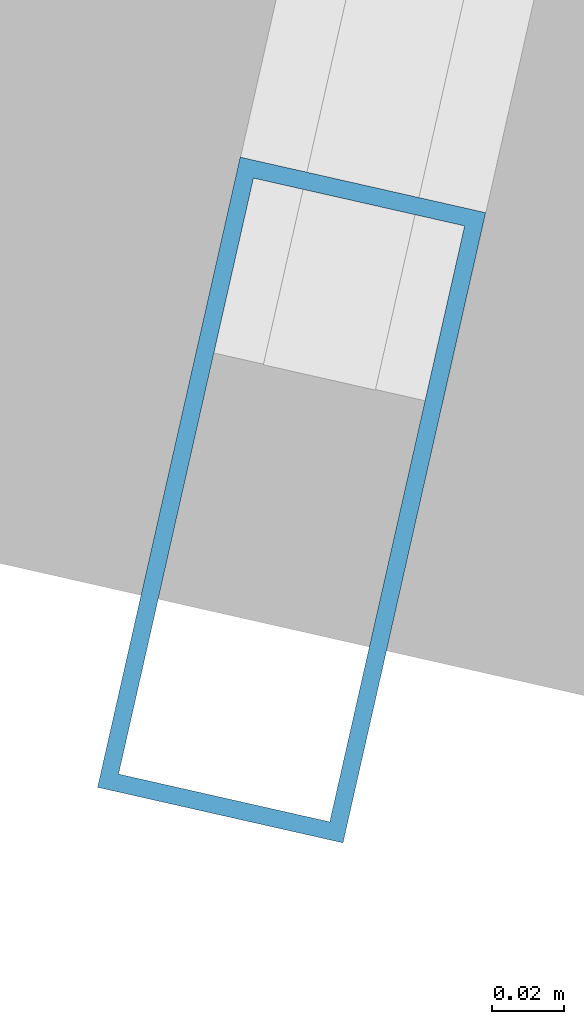
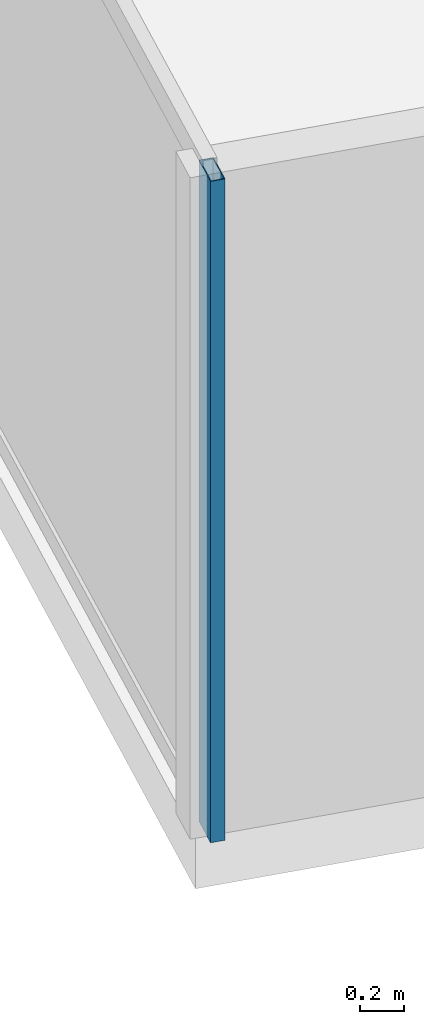
# One storey, part 3 of 26: 1 member, 1 element without a shape of its own.
"""IFC4 building model written with IfcOpenShell, lengths in metres."""

from ifc_helpers import new_model, si_unit, direction, frame, origin, origin_2d, place, context, subcontext, project, spatial, hollow_rectangle, extrude, source, transform, mapped, material, material_profile, profile_set, type_object, type_shapes, element, aggregate, save


model = new_model("IFC4")

# Units and contexts
model_context = context("Model", 3, precision=1e-05, world=origin(), true_north=direction((0.0, 1.0)))
body_context = subcontext(model_context, "Body", "Model", "MODEL_VIEW")
ifc_project = project(units=[si_unit("LENGTHUNIT", "METRE"), si_unit("AREAUNIT", "SQUARE_METRE"), si_unit("VOLUMEUNIT", "CUBIC_METRE"), si_unit("PLANEANGLEUNIT", "RADIAN"), si_unit("MASSUNIT", "GRAM", prefix="KILO")], contexts=[model_context])

# Site, building, storey
site_placement = place(None, origin())
site = spatial("IfcSite", under=ifc_project, at=site_placement, CompositionType="ELEMENT")
building_placement = place(site_placement, origin())
building = spatial("IfcBuilding", under=site, at=building_placement, Name="Krantzveldt Concourse Tower", CompositionType="ELEMENT")
storey_placement = place(building_placement, frame((0.0, 0.0, 90.050048828125)))
storey = spatial("IfcBuildingStorey", under=building, at=storey_placement, Name="L21", CompositionType="ELEMENT", Elevation=90.050048828125)

# Curtain wall, member
ifc_material = material(Name="Anodised aluminium 6063-T6", Category="aluminium")
curtain_wall_type = type_object("IfcCurtainWallType", Name="CW2", PredefinedType="USERDEFINED", material=ifc_material)
curtain_wall_placement = place(storey_placement, origin())
curtain_wall = element("IfcCurtainWall", 1, at=curtain_wall_placement, inside=storey, type_object=curtain_wall_type, Name="CW-L21-F01", ObjectType="UNITISED CURTAIN WALL", PredefinedType="USERDEFINED")
ifc_material_profile = material_profile(ifc_material, hollow_rectangle(XDim=0.070068359375, YDim=0.179931640625, WallThickness=0.0048828125, at=origin_2d()), Name="Anodised aluminium 6063-T6", Category="aluminium")
ifc_profile_set = profile_set([ifc_material_profile], Name="Anodised aluminium 6063-T6 - ALU-MULL 180x70x5")
member_type = type_object("IfcMemberType", Name="CW-MUL-180", PredefinedType="MULLION", material=ifc_profile_set)
shared_shape = source(origin(), body_context, "Body", "SweptSolid", [
    extrude(hollow_rectangle(XDim=0.070068359375, YDim=0.179931640625, WallThickness=0.0048828125, at=origin_2d()), origin(), (0.0, 0.0, 1.0), 3.669921875),
])
type_shapes(member_type, [shared_shape])
member_placement = place(storey_placement, frame((8.990966796875, 12.95703125, 0.0), z_axis=(0.0, 0.0, 1.0), x_axis=(0.975342320609, -0.220697434579, 0.0)))
member = element("IfcMember", 2, at=member_placement, type_object=member_type, Name="CW-Z12 mullion 7", PredefinedType="MULLION", context=body_context, shape_type="MappedRepresentation", body=[
    mapped(shared_shape, transform((0.0, 0.0, 0.0), x_axis=(1.0, 0.0, 0.0), y_axis=(0.0, 1.0, 0.0), z_axis=(0.0, 0.0, 1.0), scale=1.0)),
])
aggregate(curtain_wall, [member])

save(model, "model.ifc")
